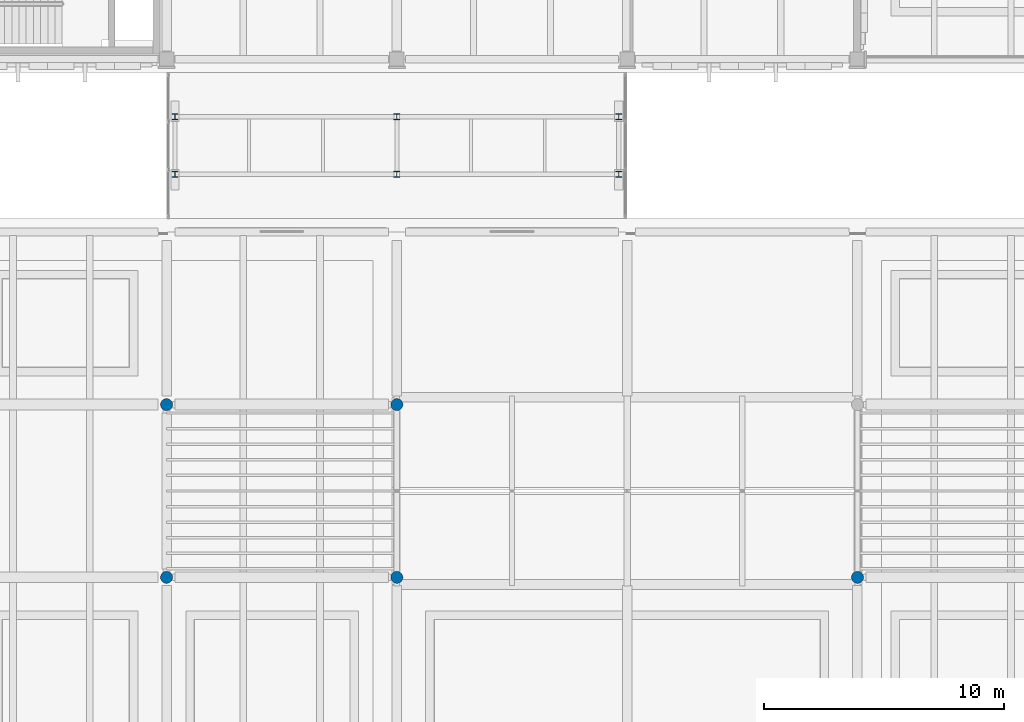
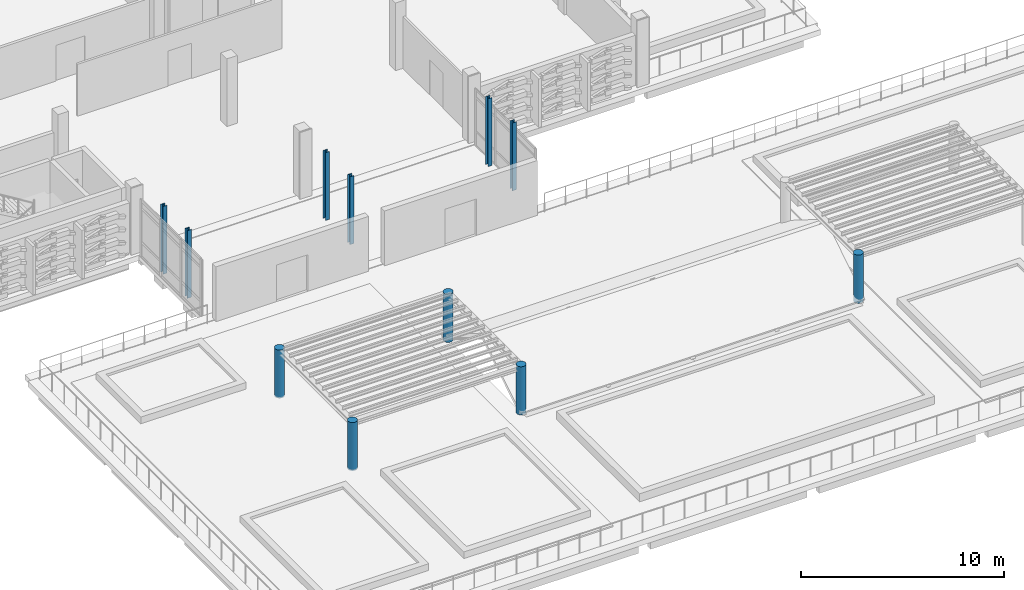
# One storey, part 1 of 134: 11 columns.
"""IFC4 building model written with IfcOpenShell, lengths in metres."""

from ifc_helpers import new_model, si_unit, direction, frame, origin, origin_2d, place, context, subcontext, project, spatial, circle, i_section, extrude, material, material_profile, profile_set, type_object, element, save


model = new_model("IFC4")

# Units and contexts
model_context = context("Model", 3, precision=1e-05, world=origin(), true_north=direction((0.0, 1.0)))
body_context = subcontext(model_context, "Body", "Model", "MODEL_VIEW")
ifc_project = project(units=[si_unit("LENGTHUNIT", "METRE"), si_unit("AREAUNIT", "SQUARE_METRE"), si_unit("VOLUMEUNIT", "CUBIC_METRE"), si_unit("PLANEANGLEUNIT", "RADIAN"), si_unit("MASSUNIT", "GRAM", prefix="KILO")], contexts=[model_context])

# Site, building, storey
site_placement = place(None, origin())
site = spatial("IfcSite", under=ifc_project, at=site_placement, CompositionType="ELEMENT")
building_placement = place(site_placement, origin())
building = spatial("IfcBuilding", under=site, at=building_placement, Name="Asteropetra Specialist Clinic", CompositionType="ELEMENT")
storey_placement = place(building_placement, frame((0.0, 0.0, 8.5)))
storey = spatial("IfcBuildingStorey", under=building, at=storey_placement, Name="L02", CompositionType="ELEMENT", Elevation=8.5)

# Columns
ifc_material_1 = material(Name="Steel S355", Category="steel")
ifc_material_profile_1 = material_profile(ifc_material_1, i_section(OverallWidth=0.239990234375, OverallDepth=0.239990234375, WebThickness=0.010009765625, FlangeThickness=0.01708984375, FilletRadius=0.02099609375, at=origin_2d()), Name="HEB 240")
ifc_profile_set_1 = profile_set([ifc_material_profile_1], Name="Steel S355")
column_type_1 = type_object("IfcColumnType", Name="COL-STL-HEB240", PredefinedType="COLUMN", material=ifc_profile_set_1)
for number, where, z_axis, x_axis, name in (
    (1, (9.949951171875, 28.800048828125, 0.0), (0.0, 0.0, 1.0), (1.0, 0.0, 0.0), "Column CCOLS2-0164"),
    (2, (9.949951171875, 31.199951171875, 0.0), (0.0, 0.0, 1.0), (1.0, 0.0, 0.0), "Column CCOLS2-0168"),
    (3, (19.199951171875, 28.800048828125, 0.0), (0.0, 0.0, 1.0), (1.0, 0.0, 0.0), "Column CCOLS2-0195"),
    (4, (19.199951171875, 31.199951171875, 0.0), (0.0, 0.0, 1.0), (1.0, 0.0, 0.0), "Column CCOLS2-0199"),
    (5, (28.449951171875, 28.800048828125, 0.0), (0.0, 0.0, 1.0), (1.0, 0.0, 0.0), "Column CCOLS2-0264"),
    (6, (28.449951171875, 31.199951171875, 0.0), (0.0, 0.0, 1.0), (1.0, 0.0, 0.0), "Column CCOLS2-0268"),
):
    element("IfcColumn", number, at=place(storey_placement, frame(where, z_axis=z_axis, x_axis=x_axis)), inside=storey, type_object=column_type_1, Name=name, PredefinedType="COLUMN", context=body_context, shape_type="SweptSolid", body=[
        extrude(i_section(OverallWidth=0.239990234375, OverallDepth=0.239990234375, WebThickness=0.010009765625, FlangeThickness=0.01708984375, FilletRadius=0.02099609375, at=origin_2d()), origin(), (0.0, 0.0, 1.0), 4.080078125),
    ])
ifc_material_2 = material(Name="Concrete C35/45", Category="concrete")
ifc_material_profile_2 = material_profile(ifc_material_2, circle(Radius=0.25, at=origin_2d()), Name="RCC D500")
ifc_profile_set_2 = profile_set([ifc_material_profile_2], Name="Concrete C35/45")
column_type_2 = type_object("IfcColumnType", Name="COL-STOA500", PredefinedType="COLUMN", material=ifc_profile_set_2)
for number, where, z_axis, x_axis, name in (
    (7, (9.60009765625, 12.0, 0.0), (0.0, 0.0, 1.0), (1.0, 0.0, 0.0), "Terrace Pergola Column CPG-01"),
    (8, (9.60009765625, 19.199951171875, 0.0), (0.0, 0.0, 1.0), (1.0, 0.0, 0.0), "Terrace Pergola Column CPG-02"),
    (9, (19.199951171875, 12.0, 0.0), (0.0, 0.0, 1.0), (1.0, 0.0, 0.0), "Terrace Pergola Column CPG-03"),
    (10, (19.199951171875, 19.199951171875, 0.0), (0.0, 0.0, 1.0), (1.0, 0.0, 0.0), "Terrace Pergola Column CPG-04"),
    (11, (38.39990234375, 12.0, 0.0), (0.0, 0.0, 1.0), (1.0, 0.0, 0.0), "Terrace Pergola Column CPG-05"),
):
    element("IfcColumn", number, at=place(storey_placement, frame(where, z_axis=z_axis, x_axis=x_axis)), inside=storey, type_object=column_type_2, Name=name, PredefinedType="COLUMN", context=body_context, shape_type="SweptSolid", body=[
        extrude(circle(Radius=0.25, at=origin_2d()), origin(), (0.0, 0.0, 1.0), 2.89990234375),
    ])

save(model, "model.ifc")
